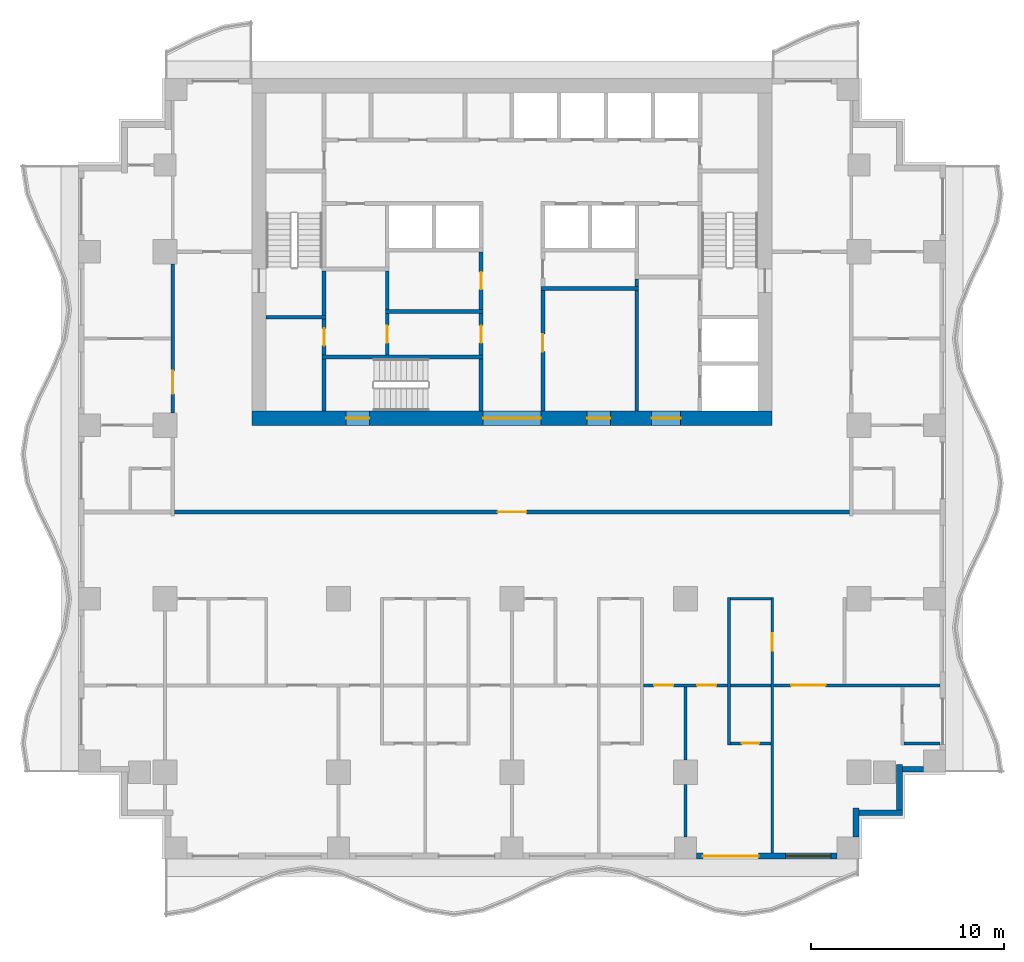
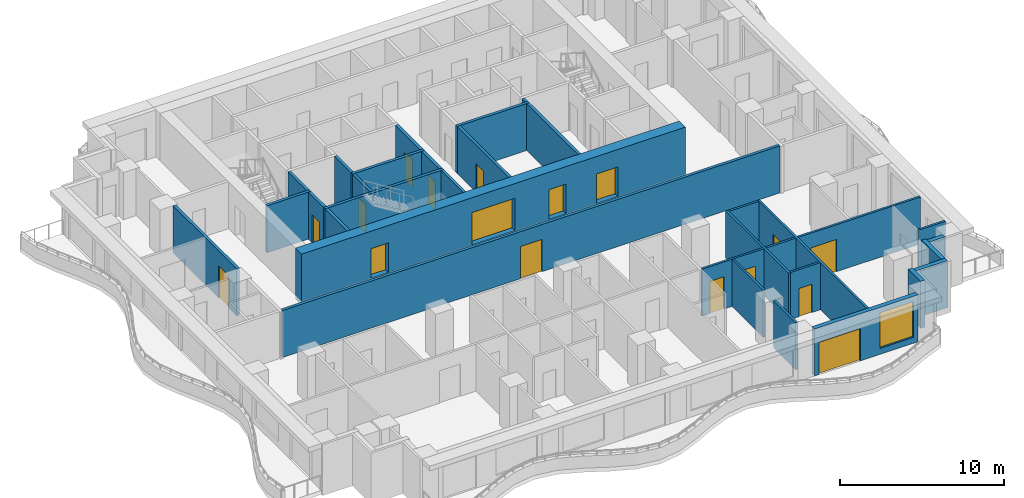
# One storey, part 3 of 10: 33 walls, 17 doors, 1 window, 18 openings.
"""IFC4 building model written with IfcOpenShell, lengths in metres."""

from ifc_helpers import new_model, si_unit, direction, frame, frame_2d, origin, place, context, subcontext, project, spatial, rectangle, extrude, material, layer, layer_set, type_object, element, fill, save


model = new_model("IFC4")

# Units and contexts
model_context = context("Model", 3, precision=1e-05, world=origin(), true_north=direction((0.0, 1.0)))
body_context = subcontext(model_context, "Body", "Model", "MODEL_VIEW")
ifc_project = project(units=[si_unit("LENGTHUNIT", "METRE"), si_unit("AREAUNIT", "SQUARE_METRE"), si_unit("VOLUMEUNIT", "CUBIC_METRE"), si_unit("PLANEANGLEUNIT", "RADIAN"), si_unit("MASSUNIT", "GRAM", prefix="KILO")], contexts=[model_context])

# Site, building, storey
site_placement = place(None, origin())
site = spatial("IfcSite", under=ifc_project, at=site_placement, CompositionType="ELEMENT")
building_placement = place(site_placement, origin())
building = spatial("IfcBuilding", under=site, at=building_placement, Name="Orbiselva Terraces", CompositionType="ELEMENT")
storey_placement = place(building_placement, frame((0.0, 0.0, 151.6)))
storey = spatial("IfcBuildingStorey", under=building, at=storey_placement, Name="L38", CompositionType="ELEMENT", Elevation=151.6)

# Wall, openings, doors
ifc_material_1 = material(Name="Concrete C80/95", Category="concrete")
ifc_layer_1 = layer(ifc_material_1, 0.75)
ifc_layer_set_1 = layer_set([ifc_layer_1], Name="Concrete C80/95")
wall_type_1 = type_object("IfcWallType", Name="CORE WALL 750", PredefinedType="SHEAR", material=ifc_layer_set_1)
wall_1_placement = place(storey_placement, frame((-13.5, 4.875, -0.3), z_axis=(0.0, 0.0, 1.0), x_axis=(1.0, 0.0, 0.0)))
wall_1 = element("IfcWall", 1, at=wall_1_placement, inside=storey, type_object=wall_type_1, Name="Core wall L38 south", PredefinedType="SHEAR", context=body_context, shape_type="SweptSolid", body=[
    extrude(rectangle(XDim=27.0, YDim=0.75, at=frame_2d((13.5, 0.0))), origin(), (0.0, 0.0, 1.0), 3.8),
])
opening_1_placement = place(wall_1_placement, frame((12.0, 0.0, 0.3)))
opening_1 = element("IfcOpeningElement", 2, at=opening_1_placement, cuts=wall_1, Name="Opening DL3000", PredefinedType="OPENING", context=body_context, shape_type="SweptSolid", body=[
    extrude(rectangle(XDim=3.0, YDim=2.4, at=frame_2d((1.5, 1.2))), frame((0.0, 0.385, 0.0), z_axis=(0.0, -1.0, 0.0), x_axis=(1.0, 0.0, 0.0)), (0.0, 0.0, 1.0), 0.77),
])
opening_2_placement = place(wall_1_placement, frame((4.9, 0.0, 0.3)))
opening_2 = element("IfcOpeningElement", 3, at=opening_2_placement, cuts=wall_1, Name="Opening DS1200", PredefinedType="OPENING", context=body_context, shape_type="SweptSolid", body=[
    extrude(rectangle(XDim=1.2, YDim=2.2, at=frame_2d((0.6, 1.1))), frame((0.0, 0.385, 0.0), z_axis=(0.0, -1.0, 0.0), x_axis=(1.0, 0.0, 0.0)), (0.0, 0.0, 1.0), 0.77),
])
opening_3_placement = place(wall_1_placement, frame((20.75, 0.0, 0.3)))
opening_3 = element("IfcOpeningElement", 4, at=opening_3_placement, cuts=wall_1, Name="Opening DF1500", PredefinedType="OPENING", context=body_context, shape_type="SweptSolid", body=[
    extrude(rectangle(XDim=1.5, YDim=2.2, at=frame_2d((0.75, 1.1))), frame((0.0, 0.385, 0.0), z_axis=(0.0, -1.0, 0.0), x_axis=(1.0, 0.0, 0.0)), (0.0, 0.0, 1.0), 0.77),
])
opening_4_placement = place(wall_1_placement, frame((17.4, 0.0, 0.3)))
opening_4 = element("IfcOpeningElement", 5, at=opening_4_placement, cuts=wall_1, Name="Opening DV1200", PredefinedType="OPENING", context=body_context, shape_type="SweptSolid", body=[
    extrude(rectangle(XDim=1.2, YDim=2.2, at=frame_2d((0.6, 1.1))), frame((0.0, 0.385, 0.0), z_axis=(0.0, -1.0, 0.0), x_axis=(1.0, 0.0, 0.0)), (0.0, 0.0, 1.0), 0.77),
])
ifc_material_2 = material(Name="Steel fire door", Category="steel")
door_type_1 = type_object("IfcDoorType", Name="FFL DOOR 1500", OperationType="DOUBLE_DOOR_SINGLE_SWING", PredefinedType="DOOR", material=ifc_material_2)
door_1_placement = place(opening_3_placement, frame((1.5, 0.0, 0.0), z_axis=(0.0, 0.0, 1.0), x_axis=(-1.0, 0.0, 0.0)))
door_1 = element("IfcDoor", 6, at=door_1_placement, inside=storey, type_object=door_type_1, Name="L38 FIRE-FIGHTING LOBBY door", OperationType="DOUBLE_DOOR_SINGLE_SWING", OverallHeight=2.2, OverallWidth=1.5, PredefinedType="DOOR", context=body_context, shape_type="SweptSolid", body=[
    extrude(rectangle(XDim=1.5, YDim=2.2, at=frame_2d((0.75, 1.1))), frame((0.0, 0.025, 0.0), z_axis=(0.0, -1.0, 0.0), x_axis=(1.0, 0.0, 0.0)), (0.0, 0.0, 1.0), 0.05),
])
fill(opening_3, door_1)
door_type_2 = type_object("IfcDoorType", Name="LOBBY DOOR 3000", OperationType="DOUBLE_DOOR_SINGLE_SWING", PredefinedType="DOOR", material=ifc_material_2)
door_2_placement = place(opening_1_placement, frame((3.0, 0.0, 0.0), z_axis=(0.0, 0.0, 1.0), x_axis=(-1.0, 0.0, 0.0)))
door_2 = element("IfcDoor", 7, at=door_2_placement, inside=storey, type_object=door_type_2, Name="L38 LIFT LOBBY door", OperationType="DOUBLE_DOOR_SINGLE_SWING", OverallHeight=2.4, OverallWidth=3.0, PredefinedType="DOOR", context=body_context, shape_type="SweptSolid", body=[
    extrude(rectangle(XDim=3.0, YDim=2.4, at=frame_2d((1.5, 1.2))), frame((0.0, 0.025, 0.0), z_axis=(0.0, -1.0, 0.0), x_axis=(1.0, 0.0, 0.0)), (0.0, 0.0, 1.0), 0.05),
])
fill(opening_1, door_2)
door_type_3 = type_object("IfcDoorType", Name="SERVICE DOOR 1200", OperationType="NOTDEFINED", PredefinedType="DOOR", material=ifc_material_2)
door_3_placement = place(opening_4_placement, frame((1.2, 0.0, 0.0), z_axis=(0.0, 0.0, 1.0), x_axis=(-1.0, 0.0, 0.0)))
door_3 = element("IfcDoor", 8, at=door_3_placement, inside=storey, type_object=door_type_3, Name="L38 SERVICE ROOM door", OperationType="SINGLE_SWING_RIGHT", OverallHeight=2.2, OverallWidth=1.2, PredefinedType="DOOR", context=body_context, shape_type="SweptSolid", body=[
    extrude(rectangle(XDim=1.2, YDim=2.2, at=frame_2d((0.6, 1.1))), frame((0.0, 0.025, 0.0), z_axis=(0.0, -1.0, 0.0), x_axis=(1.0, 0.0, 0.0)), (0.0, 0.0, 1.0), 0.05),
])
fill(opening_4, door_3)
door_type_4 = type_object("IfcDoorType", Name="STAIR DOOR 1200", OperationType="NOTDEFINED", PredefinedType="DOOR", material=ifc_material_2)
door_4_placement = place(opening_2_placement, frame((1.2, 0.0, 0.0), z_axis=(0.0, 0.0, 1.0), x_axis=(-1.0, 0.0, 0.0)))
door_4 = element("IfcDoor", 9, at=door_4_placement, inside=storey, type_object=door_type_4, Name="L38 EXIT STAIR S3 door", OperationType="SINGLE_SWING_LEFT", OverallHeight=2.2, OverallWidth=1.2, PredefinedType="DOOR", context=body_context, shape_type="SweptSolid", body=[
    extrude(rectangle(XDim=1.2, YDim=2.2, at=frame_2d((0.6, 1.1))), frame((0.0, 0.025, 0.0), z_axis=(0.0, -1.0, 0.0), x_axis=(1.0, 0.0, 0.0)), (0.0, 0.0, 1.0), 0.05),
])
fill(opening_2, door_4)

# Wall, opening, door
ifc_material_3 = material(Name="Masonry blockwork", Category="masonry")
ifc_layer_2 = layer(ifc_material_3, 0.2)
ifc_layer_set_2 = layer_set([ifc_layer_2], Name="Masonry blockwork")
wall_type_2 = type_object("IfcWallType", Name="CORE-WALL-PARTITION-200", PredefinedType="PARTITIONING", material=ifc_layer_set_2)
wall_2_placement = place(storey_placement, frame((-9.75, 8.15, 0.0), z_axis=(0.0, 0.0, 1.0), x_axis=(0.0, 1.0, 0.0)))
wall_2 = element("IfcWall", 10, at=wall_2_placement, inside=storey, type_object=wall_type_2, Name="L38 core wall 05", PredefinedType="PARTITIONING", context=body_context, shape_type="SweptSolid", body=[
    extrude(rectangle(XDim=1.85, YDim=0.2, at=frame_2d((0.925, 0.0))), origin(), (0.0, 0.0, 1.0), 3.5),
])
opening_5_placement = place(wall_2_placement, frame((0.475, 0.0, 0.0)))
opening_5 = element("IfcOpeningElement", 11, at=opening_5_placement, cuts=wall_2, Name="Opening DR900", PredefinedType="OPENING", context=body_context, shape_type="SweptSolid", body=[
    extrude(rectangle(XDim=0.9, YDim=2.1, at=frame_2d((0.45, 1.05))), frame((0.0, 0.11, 0.0), z_axis=(0.0, -1.0, 0.0), x_axis=(1.0, 0.0, 0.0)), (0.0, 0.0, 1.0), 0.22),
])
door_type_5 = type_object("IfcDoorType", Name="ROOM DOOR 900", OperationType="NOTDEFINED", PredefinedType="DOOR", material=ifc_material_2)
door_5_placement = place(opening_5_placement, origin())
door_5 = element("IfcDoor", 12, at=door_5_placement, inside=storey, type_object=door_type_5, Name="L38 CLEANERS STORE door", OperationType="SINGLE_SWING_RIGHT", OverallHeight=2.1, OverallWidth=0.9, PredefinedType="DOOR", context=body_context, shape_type="SweptSolid", body=[
    extrude(rectangle(XDim=0.9, YDim=2.1, at=frame_2d((0.45, 1.05))), frame((0.0, 0.025, 0.0), z_axis=(0.0, -1.0, 0.0), x_axis=(1.0, 0.0, 0.0)), (0.0, 0.0, 1.0), 0.05),
])
fill(opening_5, door_5)

wall_3_placement = place(storey_placement, frame((-6.475, 8.15, 0.0), z_axis=(0.0, 0.0, 1.0), x_axis=(0.0, 1.0, 0.0)))
wall_3 = element("IfcWall", 13, at=wall_3_placement, inside=storey, type_object=wall_type_2, Name="L38 core wall 15", PredefinedType="PARTITIONING", context=body_context, shape_type="SweptSolid", body=[
    extrude(rectangle(XDim=2.15, YDim=0.2, at=frame_2d((1.075, 0.0))), origin(), (0.0, 0.0, 1.0), 3.5),
])
opening_6_placement = place(wall_3_placement, frame((0.625, 0.0, 0.0)))
opening_6 = element("IfcOpeningElement", 14, at=opening_6_placement, cuts=wall_3, Name="Opening DR900", PredefinedType="OPENING", context=body_context, shape_type="SweptSolid", body=[
    extrude(rectangle(XDim=0.9, YDim=2.1, at=frame_2d((0.45, 1.05))), frame((0.0, 0.11, 0.0), z_axis=(0.0, -1.0, 0.0), x_axis=(1.0, 0.0, 0.0)), (0.0, 0.0, 1.0), 0.22),
])
door_6_placement = place(opening_6_placement, origin())
door_6 = element("IfcDoor", 15, at=door_6_placement, inside=storey, type_object=door_type_5, Name="L38 STAFF ROOM door", OperationType="SINGLE_SWING_LEFT", OverallHeight=2.1, OverallWidth=0.9, PredefinedType="DOOR", context=body_context, shape_type="SweptSolid", body=[
    extrude(rectangle(XDim=0.9, YDim=2.1, at=frame_2d((0.45, 1.05))), frame((0.0, 0.025, 0.0), z_axis=(0.0, -1.0, 0.0), x_axis=(1.0, 0.0, 0.0)), (0.0, 0.0, 1.0), 0.05),
])
fill(opening_6, door_6)

# Wall
wall_4_placement = place(storey_placement, frame((-6.475, 10.5, 0.0), z_axis=(0.0, 0.0, 1.0), x_axis=(0.0, 1.0, 0.0)))
element("IfcWall", 16, at=wall_4_placement, inside=storey, type_object=wall_type_2, Name="L38 core wall 17", PredefinedType="PARTITIONING", context=body_context, shape_type="SweptSolid", body=[
    extrude(rectangle(XDim=2.0, YDim=0.2, at=frame_2d((1.0, 0.0))), origin(), (0.0, 0.0, 1.0), 3.5),
])

# Wall, opening, door
wall_5_placement = place(storey_placement, frame((-1.6, 8.15, 0.0), z_axis=(0.0, 0.0, 1.0), x_axis=(0.0, 1.0, 0.0)))
wall_5 = element("IfcWall", 17, at=wall_5_placement, inside=storey, type_object=wall_type_2, Name="L38 core wall 24", PredefinedType="PARTITIONING", context=body_context, shape_type="SweptSolid", body=[
    extrude(rectangle(XDim=2.15, YDim=0.2, at=frame_2d((1.075, 0.0))), origin(), (0.0, 0.0, 1.0), 3.5),
])
opening_7_placement = place(wall_5_placement, frame((0.625, 0.0, 0.0)))
opening_7 = element("IfcOpeningElement", 18, at=opening_7_placement, cuts=wall_5, Name="Opening DR900", PredefinedType="OPENING", context=body_context, shape_type="SweptSolid", body=[
    extrude(rectangle(XDim=0.9, YDim=2.1, at=frame_2d((0.45, 1.05))), frame((0.0, 0.11, 0.0), z_axis=(0.0, -1.0, 0.0), x_axis=(1.0, 0.0, 0.0)), (0.0, 0.0, 1.0), 0.22),
])
door_7_placement = place(opening_7_placement, origin())
door_7 = element("IfcDoor", 19, at=door_7_placement, inside=storey, type_object=door_type_5, Name="L38 SERVICE PANTRY door", OperationType="SINGLE_SWING_LEFT", OverallHeight=2.1, OverallWidth=0.9, PredefinedType="DOOR", context=body_context, shape_type="SweptSolid", body=[
    extrude(rectangle(XDim=0.9, YDim=2.1, at=frame_2d((0.45, 1.05))), frame((0.0, 0.025, 0.0), z_axis=(0.0, -1.0, 0.0), x_axis=(1.0, 0.0, 0.0)), (0.0, 0.0, 1.0), 0.05),
])
fill(opening_7, door_7)

wall_6_placement = place(storey_placement, frame((-1.6, 10.5, 0.0), z_axis=(0.0, 0.0, 1.0), x_axis=(0.0, 1.0, 0.0)))
wall_6 = element("IfcWall", 20, at=wall_6_placement, inside=storey, type_object=wall_type_2, Name="L38 core wall 25", PredefinedType="PARTITIONING", context=body_context, shape_type="SweptSolid", body=[
    extrude(rectangle(XDim=3.0, YDim=0.2, at=frame_2d((1.5, 0.0))), origin(), (0.0, 0.0, 1.0), 3.5),
])
opening_8_placement = place(wall_6_placement, frame((1.05, 0.0, 0.0)))
opening_8 = element("IfcOpeningElement", 21, at=opening_8_placement, cuts=wall_6, Name="Opening DR900", PredefinedType="OPENING", context=body_context, shape_type="SweptSolid", body=[
    extrude(rectangle(XDim=0.9, YDim=2.1, at=frame_2d((0.45, 1.05))), frame((0.0, 0.11, 0.0), z_axis=(0.0, -1.0, 0.0), x_axis=(1.0, 0.0, 0.0)), (0.0, 0.0, 1.0), 0.22),
])
door_8_placement = place(opening_8_placement, origin())
door_8 = element("IfcDoor", 22, at=door_8_placement, inside=storey, type_object=door_type_5, Name="L38 LINEN STORE door", OperationType="SINGLE_SWING_RIGHT", OverallHeight=2.1, OverallWidth=0.9, PredefinedType="DOOR", context=body_context, shape_type="SweptSolid", body=[
    extrude(rectangle(XDim=0.9, YDim=2.1, at=frame_2d((0.45, 1.05))), frame((0.0, 0.025, 0.0), z_axis=(0.0, -1.0, 0.0), x_axis=(1.0, 0.0, 0.0)), (0.0, 0.0, 1.0), 0.05),
])
fill(opening_8, door_8)

# Walls
ifc_material_4 = material(Name="Concrete C60/75", Category="concrete")
ifc_layer_3 = layer(ifc_material_4, 0.2)
ifc_layer_set_3 = layer_set([ifc_layer_3], Name="Concrete C60/75")
wall_type_3 = type_object("IfcWallType", Name="CORE-WALL-SHEAR-200", PredefinedType="SHEAR", material=ifc_layer_set_3)
wall_7_placement = place(storey_placement, frame((-12.75, 10.1, 0.0), z_axis=(0.0, 0.0, 1.0), x_axis=(1.0, 0.0, 0.0)))
element("IfcWall", 23, at=wall_7_placement, inside=storey, type_object=wall_type_3, Name="L38 core wall 01", PredefinedType="SHEAR", context=body_context, shape_type="SweptSolid", body=[
    extrude(rectangle(XDim=3.1, YDim=0.2, at=frame_2d((1.55, 0.0))), origin(), (0.0, 0.0, 1.0), 3.5),
])
wall_8_placement = place(storey_placement, frame((-9.75, 5.25, 0.0), z_axis=(0.0, 0.0, 1.0), x_axis=(0.0, 1.0, 0.0)))
element("IfcWall", 24, at=wall_8_placement, inside=storey, type_object=wall_type_3, Name="L38 core wall 03", PredefinedType="SHEAR", context=body_context, shape_type="SweptSolid", body=[
    extrude(rectangle(XDim=2.7, YDim=0.2, at=frame_2d((1.35, 0.0))), origin(), (0.0, 0.0, 1.0), 3.5),
])
wall_9_placement = place(storey_placement, frame((-9.85, 8.05, 0.0), z_axis=(0.0, 0.0, 1.0), x_axis=(1.0, 0.0, 0.0)))
element("IfcWall", 25, at=wall_9_placement, inside=storey, type_object=wall_type_3, Name="L38 core wall 04", PredefinedType="SHEAR", context=body_context, shape_type="SweptSolid", body=[
    extrude(rectangle(XDim=8.35, YDim=0.2, at=frame_2d((4.175, 0.0))), origin(), (0.0, 0.0, 1.0), 3.5),
])
wall_10_placement = place(storey_placement, frame((-9.75, 10.2, 0.0), z_axis=(0.0, 0.0, 1.0), x_axis=(0.0, 1.0, 0.0)))
element("IfcWall", 26, at=wall_10_placement, inside=storey, type_object=wall_type_3, Name="L38 core wall 06", PredefinedType="SHEAR", context=body_context, shape_type="SweptSolid", body=[
    extrude(rectangle(XDim=2.3, YDim=0.2, at=frame_2d((1.15, 0.0))), origin(), (0.0, 0.0, 1.0), 3.5),
])
wall_11_placement = place(storey_placement, frame((-6.575, 10.4, 0.0), z_axis=(0.0, 0.0, 1.0), x_axis=(1.0, 0.0, 0.0)))
element("IfcWall", 27, at=wall_11_placement, inside=storey, type_object=wall_type_3, Name="L38 core wall 16", PredefinedType="SHEAR", context=body_context, shape_type="SweptSolid", body=[
    extrude(rectangle(XDim=5.075, YDim=0.2, at=frame_2d((2.5375, 0.0))), origin(), (0.0, 0.0, 1.0), 3.5),
])
wall_12_placement = place(storey_placement, frame((-1.6, 5.25, 0.0), z_axis=(0.0, 0.0, 1.0), x_axis=(0.0, 1.0, 0.0)))
element("IfcWall", 28, at=wall_12_placement, inside=storey, type_object=wall_type_3, Name="L38 core wall 23", PredefinedType="SHEAR", context=body_context, shape_type="SweptSolid", body=[
    extrude(rectangle(XDim=2.7, YDim=0.2, at=frame_2d((1.35, 0.0))), origin(), (0.0, 0.0, 1.0), 3.5),
])

# Wall, opening, door
wall_13_placement = place(storey_placement, frame((1.6, 11.5, 0.0), z_axis=(0.0, 0.0, 1.0), x_axis=(0.0, -1.0, 0.0)))
wall_13 = element("IfcWall", 29, at=wall_13_placement, inside=storey, type_object=wall_type_3, Name="L38 core wall 28", PredefinedType="SHEAR", context=body_context, shape_type="SweptSolid", body=[
    extrude(rectangle(XDim=6.25, YDim=0.2, at=frame_2d((3.125, 0.0))), origin(), (0.0, 0.0, 1.0), 3.5),
])
opening_9_placement = place(wall_13_placement, frame((2.275, 0.0, 0.0)))
opening_9 = element("IfcOpeningElement", 30, at=opening_9_placement, cuts=wall_13, Name="Opening DR900", PredefinedType="OPENING", context=body_context, shape_type="SweptSolid", body=[
    extrude(rectangle(XDim=0.9, YDim=2.1, at=frame_2d((0.45, 1.05))), frame((0.0, 0.11, 0.0), z_axis=(0.0, -1.0, 0.0), x_axis=(1.0, 0.0, 0.0)), (0.0, 0.0, 1.0), 0.22),
])
door_9_placement = place(opening_9_placement, origin())
door_9 = element("IfcDoor", 31, at=door_9_placement, inside=storey, type_object=door_type_5, Name="L38 SERVICE ROOM door", OperationType="SINGLE_SWING_LEFT", OverallHeight=2.1, OverallWidth=0.9, PredefinedType="DOOR", context=body_context, shape_type="SweptSolid", body=[
    extrude(rectangle(XDim=0.9, YDim=2.1, at=frame_2d((0.45, 1.05))), frame((0.0, 0.025, 0.0), z_axis=(0.0, -1.0, 0.0), x_axis=(1.0, 0.0, 0.0)), (0.0, 0.0, 1.0), 0.05),
])
fill(opening_9, door_9)

# Walls
wall_14_placement = place(storey_placement, frame((1.5, 11.6, 0.0), z_axis=(0.0, 0.0, 1.0), x_axis=(1.0, 0.0, 0.0)))
element("IfcWall", 32, at=wall_14_placement, inside=storey, type_object=wall_type_3, Name="L38 core wall 29", PredefinedType="SHEAR", context=body_context, shape_type="SweptSolid", body=[
    extrude(rectangle(XDim=5.075, YDim=0.2, at=frame_2d((2.5375, 0.0))), origin(), (0.0, 0.0, 1.0), 3.5),
])
wall_15_placement = place(storey_placement, frame((6.475, 5.25, 0.0), z_axis=(0.0, 0.0, 1.0), x_axis=(0.0, 1.0, 0.0)))
element("IfcWall", 33, at=wall_15_placement, inside=storey, type_object=wall_type_3, Name="L38 core wall 37", PredefinedType="SHEAR", context=body_context, shape_type="SweptSolid", body=[
    extrude(rectangle(XDim=6.25, YDim=0.2, at=frame_2d((3.125, 0.0))), origin(), (0.0, 0.0, 1.0), 3.5),
])
wall_16_placement = place(storey_placement, frame((6.475, 11.7, 0.0), z_axis=(0.0, 0.0, 1.0), x_axis=(0.0, 1.0, 0.0)))
element("IfcWall", 34, at=wall_16_placement, inside=storey, type_object=wall_type_3, Name="L38 core wall 38", PredefinedType="SHEAR", context=body_context, shape_type="SweptSolid", body=[
    extrude(rectangle(XDim=0.4, YDim=0.2, at=frame_2d((0.2, 0.0))), origin(), (0.0, 0.0, 1.0), 3.5),
])

# Wall, openings, door, window
ifc_material_5 = material(Name="Terracotta cladding on masonry backing", Category="masonry")
ifc_layer_4 = layer(ifc_material_5, 0.3)
ifc_layer_set_4 = layer_set([ifc_layer_4], Name="Terracotta cladding on masonry backing")
wall_type_4 = type_object("IfcWallType", Name="ENV-WALL-TERRACOTTA-300", PredefinedType="SOLIDWALL", material=ifc_layer_set_4)
wall_17_placement = place(storey_placement, frame((16.85, -17.85, 0.0), z_axis=(0.0, 0.0, 1.0), x_axis=(-1.0, 0.0, 0.0)))
wall_17 = element("IfcWall", 35, at=wall_17_placement, inside=storey, type_object=wall_type_4, Name="Facade wall L38 S", PredefinedType="SOLIDWALL", context=body_context, shape_type="SweptSolid", body=[
    extrude(rectangle(XDim=7.275, YDim=0.3, at=frame_2d((3.6375, 0.0))), origin(), (0.0, 0.0, 1.0), 3.5),
])
opening_10_placement = place(wall_17_placement, frame((4.05, 0.0, 0.0)))
opening_10 = element("IfcOpeningElement", 36, at=opening_10_placement, cuts=wall_17, Name="Opening Z3-C-E03", PredefinedType="OPENING", context=body_context, shape_type="SweptSolid", body=[
    extrude(rectangle(XDim=2.9, YDim=2.4, at=frame_2d((1.45, 1.2))), frame((0.0, 0.16, 0.0), z_axis=(0.0, -1.0, 0.0), x_axis=(1.0, 0.0, 0.0)), (0.0, 0.0, 1.0), 0.32),
])
opening_11_placement = place(wall_17_placement, frame((0.3, 0.0, 0.45)))
opening_11 = element("IfcOpeningElement", 37, at=opening_11_placement, cuts=wall_17, Name="Opening WN10", PredefinedType="OPENING", context=body_context, shape_type="SweptSolid", body=[
    extrude(rectangle(XDim=2.35, YDim=2.65, at=frame_2d((1.175, 1.325))), frame((0.0, 0.16, 0.0), z_axis=(0.0, -1.0, 0.0), x_axis=(1.0, 0.0, 0.0)), (0.0, 0.0, 1.0), 0.32),
])
ifc_material_6 = material(Name="Clear low-e glazing in aluminium frame", Category="aluminium")
door_type_6 = type_object("IfcDoorType", Name="BALCONY DOOR 2900 X 2400", OperationType="DOUBLE_DOOR_SLIDING", PredefinedType="DOOR", material=ifc_material_6)
door_10_placement = place(opening_10_placement, origin())
door_10 = element("IfcDoor", 38, at=door_10_placement, inside=storey, type_object=door_type_6, Name="Z3-C-E03", OperationType="SINGLE_SWING_LEFT", OverallHeight=2.4, OverallWidth=2.9, PredefinedType="DOOR", context=body_context, shape_type="SweptSolid", body=[
    extrude(rectangle(XDim=2.9, YDim=2.4, at=frame_2d((1.45, 1.2))), frame((0.0, 0.025, 0.0), z_axis=(0.0, -1.0, 0.0), x_axis=(1.0, 0.0, 0.0)), (0.0, 0.0, 1.0), 0.05),
])
fill(opening_10, door_10)
window_type = type_object("IfcWindowType", Name="WINDOW 2350 X 2650 S450", PartitioningType="TRIPLE_PANEL_VERTICAL", PredefinedType="WINDOW", material=ifc_material_6)
window_placement = place(opening_11_placement, origin())
window = element("IfcWindow", 39, at=window_placement, inside=storey, type_object=window_type, Name="Window L38 S", OverallHeight=2.65, OverallWidth=2.35, PartitioningType="SINGLE_PANEL", PredefinedType="WINDOW", context=body_context, shape_type="SweptSolid", body=[
    extrude(rectangle(XDim=2.35, YDim=2.65, at=frame_2d((1.175, 1.325))), frame((0.0, 0.03, 0.0), z_axis=(0.0, -1.0, 0.0), x_axis=(1.0, 0.0, 0.0)), (0.0, 0.0, 1.0), 0.06),
])
fill(opening_11, window)

# Walls
wall_18_placement = place(storey_placement, frame((17.85, -15.35, 0.0), z_axis=(0.0, 0.0, 1.0), x_axis=(0.0, -1.0, 0.0)))
element("IfcWall", 40, at=wall_18_placement, inside=storey, type_object=wall_type_4, Name="Facade wall L38 STEP", PredefinedType="SOLIDWALL", context=body_context, shape_type="SweptSolid", body=[
    extrude(rectangle(XDim=1.5, YDim=0.3, at=frame_2d((0.75, 0.0))), origin(), (0.0, 0.0, 1.0), 3.5),
])
wall_19_placement = place(storey_placement, frame((20.25, -15.6, 0.0), z_axis=(0.0, 0.0, 1.0), x_axis=(-1.0, 0.0, 0.0)))
element("IfcWall", 41, at=wall_19_placement, inside=storey, type_object=wall_type_4, Name="Facade wall L38 STEP", PredefinedType="SOLIDWALL", context=body_context, shape_type="SweptSolid", body=[
    extrude(rectangle(XDim=2.25, YDim=0.3, at=frame_2d((1.125, 0.0))), origin(), (0.0, 0.0, 1.0), 3.5),
])
wall_20_placement = place(storey_placement, frame((20.1, -13.1, 0.0), z_axis=(0.0, 0.0, 1.0), x_axis=(0.0, -1.0, 0.0)))
element("IfcWall", 42, at=wall_20_placement, inside=storey, type_object=wall_type_4, Name="Facade wall L38 STEP", PredefinedType="SOLIDWALL", context=body_context, shape_type="SweptSolid", body=[
    extrude(rectangle(XDim=2.35, YDim=0.3, at=frame_2d((1.175, 0.0))), origin(), (0.0, 0.0, 1.0), 3.5),
])
wall_21_placement = place(storey_placement, frame((21.35, -13.35, 0.0), z_axis=(0.0, 0.0, 1.0), x_axis=(-1.0, 0.0, 0.0)))
element("IfcWall", 43, at=wall_21_placement, inside=storey, type_object=wall_type_4, Name="Facade wall L38 STEP", PredefinedType="SOLIDWALL", context=body_context, shape_type="SweptSolid", body=[
    extrude(rectangle(XDim=1.1, YDim=0.3, at=frame_2d((0.55, 0.0))), origin(), (0.0, 0.0, 1.0), 3.5),
])

# Wall, opening, door
ifc_material_7 = material(Name="Plasterboard on steel stud partition", Category="steel")
ifc_layer_5 = layer(ifc_material_7, 0.2)
ifc_layer_set_5 = layer_set([ifc_layer_5], Name="Plasterboard on steel stud partition")
wall_type_5 = type_object("IfcWallType", Name="UNIT-ENTRANCE-WALL-200", PredefinedType="PARTITIONING", material=ifc_layer_set_5)
wall_22_placement = place(storey_placement, frame((17.5, 0.0, 0.0), z_axis=(0.0, 0.0, 1.0), x_axis=(-1.0, 0.0, 0.0)))
wall_22 = element("IfcWall", 44, at=wall_22_placement, inside=storey, type_object=wall_type_5, Name="PARTITION L38-022", PredefinedType="PARTITIONING", context=body_context, shape_type="SweptSolid", body=[
    extrude(rectangle(XDim=35.0, YDim=0.2, at=frame_2d((17.5, 0.0))), origin(), (0.0, 0.0, 1.0), 3.5),
])
opening_12_placement = place(wall_22_placement, frame((16.75, 0.0, 0.0)))
opening_12 = element("IfcOpeningElement", 45, at=opening_12_placement, cuts=wall_22, Name="Opening Z3-C-13", PredefinedType="OPENING", context=body_context, shape_type="SweptSolid", body=[
    extrude(rectangle(XDim=1.5, YDim=2.4, at=frame_2d((0.75, 1.2))), frame((0.0, 0.11, 0.0), z_axis=(0.0, -1.0, 0.0), x_axis=(1.0, 0.0, 0.0)), (0.0, 0.0, 1.0), 0.22),
])
ifc_material_8 = material(Name="Painted timber door leaf", Category="wood")
door_type_7 = type_object("IfcDoorType", Name="ENTRANCE DOUBLE DOOR 1500", OperationType="NOTDEFINED", PredefinedType="DOOR", material=ifc_material_8)
door_11_placement = place(opening_12_placement, origin())
door_11 = element("IfcDoor", 46, at=door_11_placement, inside=storey, type_object=door_type_7, Name="Z3-C-13", OperationType="DOUBLE_DOOR_SINGLE_SWING", OverallHeight=2.4, OverallWidth=1.5, PredefinedType="DOOR", context=body_context, shape_type="SweptSolid", body=[
    extrude(rectangle(XDim=1.5, YDim=2.4, at=frame_2d((0.75, 1.2))), frame((0.0, 0.025, 0.0), z_axis=(0.0, -1.0, 0.0), x_axis=(1.0, 0.0, 0.0)), (0.0, 0.0, 1.0), 0.05),
])
fill(opening_12, door_11)

wall_23_placement = place(storey_placement, frame((-17.6, 5.125, 0.0), z_axis=(0.0, 0.0, 1.0), x_axis=(0.0, 1.0, 0.0)))
wall_23 = element("IfcWall", 47, at=wall_23_placement, inside=storey, type_object=wall_type_5, Name="PARTITION L38-039", PredefinedType="PARTITIONING", context=body_context, shape_type="SweptSolid", body=[
    extrude(rectangle(XDim=7.75, YDim=0.2, at=frame_2d((3.875, 0.0))), origin(), (0.0, 0.0, 1.0), 3.5),
])
opening_13_placement = place(wall_23_placement, frame((1.0, 0.0, 0.0)))
opening_13 = element("IfcOpeningElement", 48, at=opening_13_placement, cuts=wall_23, Name="Opening Z3-C-05", PredefinedType="OPENING", context=body_context, shape_type="SweptSolid", body=[
    extrude(rectangle(XDim=1.2, YDim=2.4, at=frame_2d((0.6, 1.2))), frame((0.0, 0.11, 0.0), z_axis=(0.0, -1.0, 0.0), x_axis=(1.0, 0.0, 0.0)), (0.0, 0.0, 1.0), 0.22),
])
door_type_8 = type_object("IfcDoorType", Name="ENTRANCE DOOR 1200", OperationType="NOTDEFINED", PredefinedType="DOOR", material=ifc_material_8)
door_12_placement = place(opening_13_placement, origin())
door_12 = element("IfcDoor", 49, at=door_12_placement, inside=storey, type_object=door_type_8, Name="Z3-C-05", OperationType="SINGLE_SWING_LEFT", OverallHeight=2.4, OverallWidth=1.2, PredefinedType="DOOR", context=body_context, shape_type="SweptSolid", body=[
    extrude(rectangle(XDim=1.2, YDim=2.4, at=frame_2d((0.6, 1.2))), frame((0.0, 0.025, 0.0), z_axis=(0.0, -1.0, 0.0), x_axis=(1.0, 0.0, 0.0)), (0.0, 0.0, 1.0), 0.05),
])
fill(opening_13, door_12)

ifc_layer_6 = layer(ifc_material_7, 0.15)
ifc_layer_set_6 = layer_set([ifc_layer_6], Name="Plasterboard on steel stud partition")
wall_type_6 = type_object("IfcWallType", Name="UNIT-PARTITION-150", PredefinedType="PARTITIONING", material=ifc_layer_set_6)
wall_24_placement = place(storey_placement, frame((11.325, -12.0, 0.0), z_axis=(0.0, 0.0, 1.0), x_axis=(1.0, 0.0, 0.0)))
wall_24 = element("IfcWall", 50, at=wall_24_placement, inside=storey, type_object=wall_type_6, Name="PARTITION L38-004", PredefinedType="PARTITIONING", context=body_context, shape_type="SweptSolid", body=[
    extrude(rectangle(XDim=2.1, YDim=0.15, at=frame_2d((1.05, 0.0))), origin(), (0.0, 0.0, 1.0), 3.5),
])
opening_14_placement = place(wall_24_placement, frame((0.6, 0.0, 0.0)))
opening_14 = element("IfcOpeningElement", 51, at=opening_14_placement, cuts=wall_24, Name="Opening Z3-C-25", PredefinedType="OPENING", context=body_context, shape_type="SweptSolid", body=[
    extrude(rectangle(XDim=0.9, YDim=2.1, at=frame_2d((0.45, 1.05))), frame((0.0, 0.085, 0.0), z_axis=(0.0, -1.0, 0.0), x_axis=(1.0, 0.0, 0.0)), (0.0, 0.0, 1.0), 0.17),
])
door_type_9 = type_object("IfcDoorType", Name="BATH DOOR 900", OperationType="NOTDEFINED", PredefinedType="DOOR", material=ifc_material_8)
door_13_placement = place(opening_14_placement, origin())
door_13 = element("IfcDoor", 52, at=door_13_placement, inside=storey, type_object=door_type_9, Name="Z3-C-25", OperationType="SINGLE_SWING_LEFT", OverallHeight=2.1, OverallWidth=0.9, PredefinedType="DOOR", context=body_context, shape_type="SweptSolid", body=[
    extrude(rectangle(XDim=0.9, YDim=2.1, at=frame_2d((0.45, 1.05))), frame((0.0, 0.025, 0.0), z_axis=(0.0, -1.0, 0.0), x_axis=(1.0, 0.0, 0.0)), (0.0, 0.0, 1.0), 0.05),
])
fill(opening_14, door_13)

# Wall
wall_25_placement = place(storey_placement, frame((20.325, -12.0, 0.0), z_axis=(0.0, 0.0, 1.0), x_axis=(1.0, 0.0, 0.0)))
element("IfcWall", 53, at=wall_25_placement, inside=storey, type_object=wall_type_6, Name="PARTITION L38-005", PredefinedType="PARTITIONING", context=body_context, shape_type="SweptSolid", body=[
    extrude(rectangle(XDim=1.875, YDim=0.15, at=frame_2d((0.9375, 0.0))), origin(), (0.0, 0.0, 1.0), 3.5),
])

# Wall, openings, doors
wall_26_placement = place(storey_placement, frame((11.175, -9.0, 0.0), z_axis=(0.0, 0.0, 1.0), x_axis=(-1.0, 0.0, 0.0)))
wall_26 = element("IfcWall", 54, at=wall_26_placement, inside=storey, type_object=wall_type_6, Name="PARTITION L38-013", PredefinedType="PARTITIONING", context=body_context, shape_type="SweptSolid", body=[
    extrude(rectangle(XDim=4.35, YDim=0.15, at=frame_2d((2.175, 0.0))), origin(), (0.0, 0.0, 1.0), 3.5),
])
opening_15_placement = place(wall_26_placement, frame((0.575, 0.0, 0.0)))
opening_15 = element("IfcOpeningElement", 55, at=opening_15_placement, cuts=wall_26, Name="Opening Z3-C-24", PredefinedType="OPENING", context=body_context, shape_type="SweptSolid", body=[
    extrude(rectangle(XDim=1.0, YDim=2.4, at=frame_2d((0.5, 1.2))), frame((0.0, 0.085, 0.0), z_axis=(0.0, -1.0, 0.0), x_axis=(1.0, 0.0, 0.0)), (0.0, 0.0, 1.0), 0.17),
])
opening_16_placement = place(wall_26_placement, frame((2.8, 0.0, 0.0)))
opening_16 = element("IfcOpeningElement", 56, at=opening_16_placement, cuts=wall_26, Name="Opening Z3-C-26", PredefinedType="OPENING", context=body_context, shape_type="SweptSolid", body=[
    extrude(rectangle(XDim=1.0, YDim=2.4, at=frame_2d((0.5, 1.2))), frame((0.0, 0.085, 0.0), z_axis=(0.0, -1.0, 0.0), x_axis=(1.0, 0.0, 0.0)), (0.0, 0.0, 1.0), 0.17),
])
door_type_10 = type_object("IfcDoorType", Name="ROOM DOOR 1000", OperationType="NOTDEFINED", PredefinedType="DOOR", material=ifc_material_8)
door_14_placement = place(opening_15_placement, origin())
door_14 = element("IfcDoor", 57, at=door_14_placement, inside=storey, type_object=door_type_10, Name="Z3-C-24", OperationType="SINGLE_SWING_LEFT", OverallHeight=2.4, OverallWidth=1.0, PredefinedType="DOOR", context=body_context, shape_type="SweptSolid", body=[
    extrude(rectangle(XDim=1.0, YDim=2.4, at=frame_2d((0.5, 1.2))), frame((0.0, 0.025, 0.0), z_axis=(0.0, -1.0, 0.0), x_axis=(1.0, 0.0, 0.0)), (0.0, 0.0, 1.0), 0.05),
])
fill(opening_15, door_14)
door_15_placement = place(opening_16_placement, origin())
door_15 = element("IfcDoor", 58, at=door_15_placement, inside=storey, type_object=door_type_10, Name="Z3-C-26", OperationType="SINGLE_SWING_RIGHT", OverallHeight=2.4, OverallWidth=1.0, PredefinedType="DOOR", context=body_context, shape_type="SweptSolid", body=[
    extrude(rectangle(XDim=1.0, YDim=2.4, at=frame_2d((0.5, 1.2))), frame((0.0, 0.025, 0.0), z_axis=(0.0, -1.0, 0.0), x_axis=(1.0, 0.0, 0.0)), (0.0, 0.0, 1.0), 0.05),
])
fill(opening_16, door_15)

# Wall
wall_27_placement = place(storey_placement, frame((11.325, -9.0, 0.0), z_axis=(0.0, 0.0, 1.0), x_axis=(1.0, 0.0, 0.0)))
element("IfcWall", 59, at=wall_27_placement, inside=storey, type_object=wall_type_6, Name="PARTITION L38-014", PredefinedType="PARTITIONING", context=body_context, shape_type="SweptSolid", body=[
    extrude(rectangle(XDim=2.1, YDim=0.15, at=frame_2d((1.05, 0.0))), origin(), (0.0, 0.0, 1.0), 3.5),
])

# Wall, opening, door
wall_28_placement = place(storey_placement, frame((22.2, -9.0, 0.0), z_axis=(0.0, 0.0, 1.0), x_axis=(-1.0, 0.0, 0.0)))
wall_28 = element("IfcWall", 60, at=wall_28_placement, inside=storey, type_object=wall_type_6, Name="PARTITION L38-015", PredefinedType="PARTITIONING", context=body_context, shape_type="SweptSolid", body=[
    extrude(rectangle(XDim=8.625, YDim=0.15, at=frame_2d((4.3125, 0.0))), origin(), (0.0, 0.0, 1.0), 3.5),
])
opening_17_placement = place(wall_28_placement, frame((5.925, 0.0, 0.0)))
opening_17 = element("IfcOpeningElement", 61, at=opening_17_placement, cuts=wall_28, Name="Opening Z3-C-22", PredefinedType="OPENING", context=body_context, shape_type="SweptSolid", body=[
    extrude(rectangle(XDim=1.8, YDim=2.4, at=frame_2d((0.9, 1.2))), frame((0.0, 0.085, 0.0), z_axis=(0.0, -1.0, 0.0), x_axis=(1.0, 0.0, 0.0)), (0.0, 0.0, 1.0), 0.17),
])
door_type_11 = type_object("IfcDoorType", Name="DOUBLE DOOR 1800", OperationType="NOTDEFINED", PredefinedType="DOOR", material=ifc_material_8)
door_16_placement = place(opening_17_placement, origin())
door_16 = element("IfcDoor", 62, at=door_16_placement, inside=storey, type_object=door_type_11, Name="Z3-C-22", OperationType="DOUBLE_DOOR_SINGLE_SWING", OverallHeight=2.4, OverallWidth=1.8, PredefinedType="DOOR", context=body_context, shape_type="SweptSolid", body=[
    extrude(rectangle(XDim=1.8, YDim=2.4, at=frame_2d((0.9, 1.2))), frame((0.0, 0.025, 0.0), z_axis=(0.0, -1.0, 0.0), x_axis=(1.0, 0.0, 0.0)), (0.0, 0.0, 1.0), 0.05),
])
fill(opening_17, door_16)

# Walls
wall_29_placement = place(storey_placement, frame((11.325, -4.5, 0.0), z_axis=(0.0, 0.0, 1.0), x_axis=(1.0, 0.0, 0.0)))
element("IfcWall", 63, at=wall_29_placement, inside=storey, type_object=wall_type_6, Name="PARTITION L38-020", PredefinedType="PARTITIONING", context=body_context, shape_type="SweptSolid", body=[
    extrude(rectangle(XDim=2.1, YDim=0.15, at=frame_2d((1.05, 0.0))), origin(), (0.0, 0.0, 1.0), 3.5),
])
wall_30_placement = place(storey_placement, frame((9.0, -16.85, 0.0), z_axis=(0.0, 0.0, 1.0), x_axis=(0.0, 1.0, 0.0)))
element("IfcWall", 64, at=wall_30_placement, inside=storey, type_object=wall_type_6, Name="PARTITION L38-054", PredefinedType="PARTITIONING", context=body_context, shape_type="SweptSolid", body=[
    extrude(rectangle(XDim=2.725, YDim=0.15, at=frame_2d((1.3625, 0.0))), origin(), (0.0, 0.0, 1.0), 3.5),
])
wall_31_placement = place(storey_placement, frame((9.0, -12.875, 0.0), z_axis=(0.0, 0.0, 1.0), x_axis=(0.0, 1.0, 0.0)))
element("IfcWall", 65, at=wall_31_placement, inside=storey, type_object=wall_type_6, Name="PARTITION L38-055", PredefinedType="PARTITIONING", context=body_context, shape_type="SweptSolid", body=[
    extrude(rectangle(XDim=3.8, YDim=0.15, at=frame_2d((1.9, 0.0))), origin(), (0.0, 0.0, 1.0), 3.5),
])
wall_32_placement = place(storey_placement, frame((11.25, -12.075, 0.0), z_axis=(0.0, 0.0, 1.0), x_axis=(0.0, 1.0, 0.0)))
element("IfcWall", 66, at=wall_32_placement, inside=storey, type_object=wall_type_6, Name="PARTITION L38-056", PredefinedType="PARTITIONING", context=body_context, shape_type="SweptSolid", body=[
    extrude(rectangle(XDim=7.65, YDim=0.15, at=frame_2d((3.825, 0.0))), origin(), (0.0, 0.0, 1.0), 3.5),
])

# Wall, opening, door
wall_33_placement = place(storey_placement, frame((13.5, -17.7, 0.0), z_axis=(0.0, 0.0, 1.0), x_axis=(0.0, 1.0, 0.0)))
wall_33 = element("IfcWall", 67, at=wall_33_placement, inside=storey, type_object=wall_type_6, Name="PARTITION L38-057", PredefinedType="PARTITIONING", context=body_context, shape_type="SweptSolid", body=[
    extrude(rectangle(XDim=13.275, YDim=0.15, at=frame_2d((6.6375, 0.0))), origin(), (0.0, 0.0, 1.0), 3.5),
])
opening_18_placement = place(wall_33_placement, frame((10.5, 0.0, 0.0)))
opening_18 = element("IfcOpeningElement", 68, at=opening_18_placement, cuts=wall_33, Name="Opening Z3-C-15", PredefinedType="OPENING", context=body_context, shape_type="SweptSolid", body=[
    extrude(rectangle(XDim=0.9, YDim=2.1, at=frame_2d((0.45, 1.05))), frame((0.0, 0.085, 0.0), z_axis=(0.0, -1.0, 0.0), x_axis=(1.0, 0.0, 0.0)), (0.0, 0.0, 1.0), 0.17),
])
door_17_placement = place(opening_18_placement, origin())
door_17 = element("IfcDoor", 69, at=door_17_placement, inside=storey, type_object=door_type_9, Name="Z3-C-15", OperationType="SINGLE_SWING_RIGHT", OverallHeight=2.1, OverallWidth=0.9, PredefinedType="DOOR", context=body_context, shape_type="SweptSolid", body=[
    extrude(rectangle(XDim=0.9, YDim=2.1, at=frame_2d((0.45, 1.05))), frame((0.0, 0.025, 0.0), z_axis=(0.0, -1.0, 0.0), x_axis=(1.0, 0.0, 0.0)), (0.0, 0.0, 1.0), 0.05),
])
fill(opening_18, door_17)

save(model, "model.ifc")
